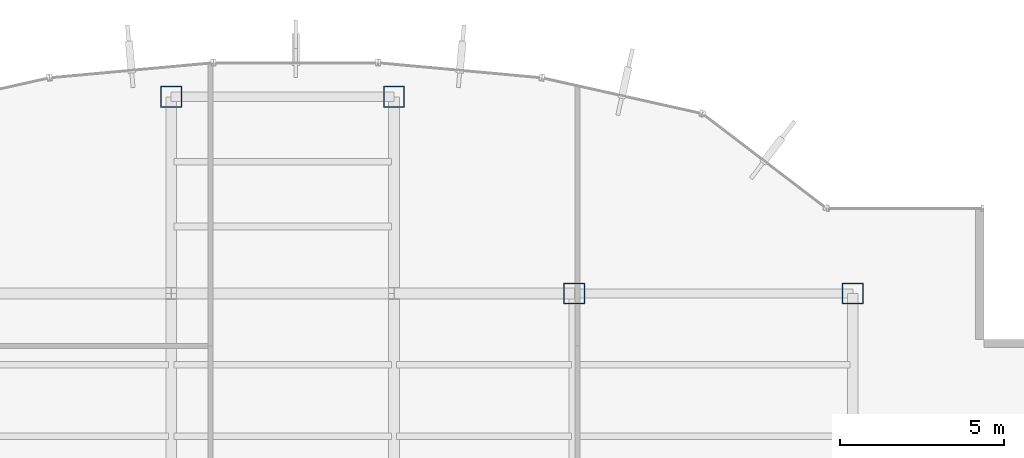
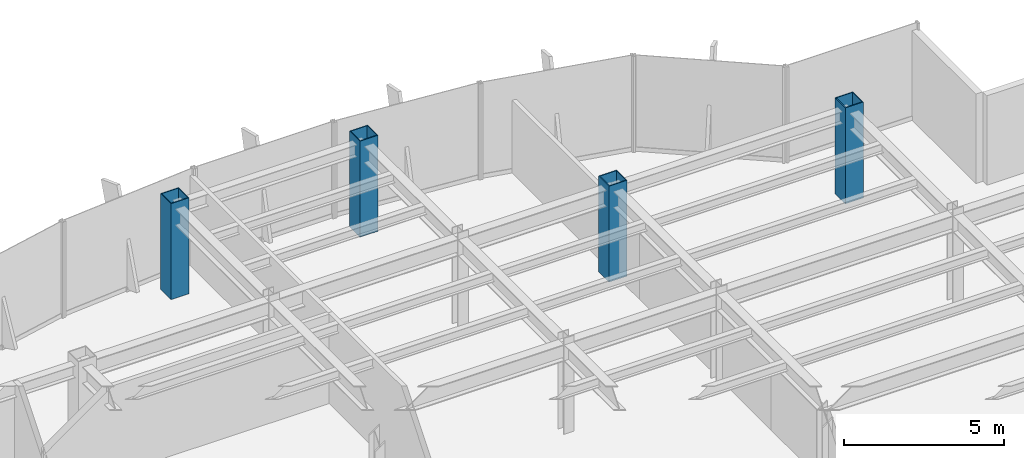
# One storey, part 2 of 23: 4 columns.
"""IFC4 building model written with IfcOpenShell, lengths in metres."""

import ifcopenshell
import ifcopenshell.guid

model = None  # the IFC model being written
_history = None  # IfcOwnerHistory: only IFC2X3 demands one
_inside = {}  # id of a spatial element -> (the spatial element, [elements in it])
_under = {}  # id of a project, library or spatial element -> (it, [spatial elements below it])
_declared = {}  # id of a project -> (the project, [libraries it declares])
_typed = {}  # id of a type object -> (the type object, [elements of that type])
_made_of = {}  # id of a material, layer set ... -> (it, [elements and type objects made of it])


def new_model(schema):
    """Start an empty IFC model of exactly this schema.

    Asked for "IFC4X3", IfcOpenShell would pick the latest addendum, in which some entities
    have other attributes; the version numbers below select the first issue.
    IFC2X3 requires an IfcOwnerHistory on every rooted entity: one is made here for all.
    """
    global model, _history
    if schema == "IFC4X3":
        model = ifcopenshell.file(schema_version=(4, 3, 0, 0))
    else:
        model = ifcopenshell.file(schema=schema)
    _inside.clear()
    _under.clear()
    _declared.clear()
    _typed.clear()
    _made_of.clear()
    _history = None
    if model.schema == "IFC2X3":
        org = make("IfcOrganization", Name="unknown")
        user = make(
            "IfcPersonAndOrganization",
            ThePerson=make("IfcPerson", FamilyName="unknown"),
            TheOrganization=org,
        )
        app = make(
            "IfcApplication",
            ApplicationDeveloper=org,
            Version="unknown",
            ApplicationFullName="unknown",
            ApplicationIdentifier="unknown",
        )
        _history = make(
            "IfcOwnerHistory",
            OwningUser=user,
            OwningApplication=app,
            ChangeAction="ADDED",
            CreationDate=0,
        )
    return model


def make(cls, **values):
    """One entity of the class cls with the attributes given. An attribute that is None is left unset."""
    return model.create_entity(
        cls, **{name: value for name, value in values.items() if value is not None}
    )


def rooted(cls, **values):
    """An entity with a GlobalId (a new one), such as an element, a storey or a relation."""
    return make(cls, GlobalId=ifcopenshell.guid.new(), OwnerHistory=_history, **values)


def si_unit(unit_type, name, prefix=None):
    """IfcSIUnit, for example si_unit("LENGTHUNIT", "METRE", prefix="MILLI")."""
    return make("IfcSIUnit", UnitType=unit_type, Prefix=prefix, Name=name)


def derived_unit(unit_type, elements):
    """IfcDerivedUnit: a product of units, each with its exponent."""
    return make(
        "IfcDerivedUnit",
        Elements=[
            make("IfcDerivedUnitElement", Unit=unit, Exponent=power)
            for unit, power in elements
        ],
        UnitType=unit_type,
    )


def assignment(units):
    """IfcUnitAssignment: the units of a project."""
    return None if units is None else make("IfcUnitAssignment", Units=units)


def point(xyz):
    """IfcCartesianPoint."""
    return None if xyz is None else make("IfcCartesianPoint", Coordinates=xyz)


def direction(xyz):
    """IfcDirection."""
    return None if xyz is None else make("IfcDirection", DirectionRatios=xyz)


def frame(location, z_axis=None, x_axis=None):
    """IfcAxis2Placement3D, a coordinate frame: its origin and axes. An axis left out is left unset."""
    return make(
        "IfcAxis2Placement3D",
        Location=point(location),
        Axis=direction(z_axis),
        RefDirection=direction(x_axis),
    )


def frame_2d(location, x_axis=None):
    """IfcAxis2Placement2D, a coordinate frame in the plane: its origin and x axis."""
    return make(
        "IfcAxis2Placement2D", Location=point(location), RefDirection=direction(x_axis)
    )


def origin():
    """The frame at (0, 0, 0) with its axes left unset."""
    return frame((0.0, 0.0, 0.0))


def origin_2d():
    """The frame at (0, 0) in the plane with its x axis left unset."""
    return frame_2d((0.0, 0.0))


def place(relative_to, where):
    """IfcLocalPlacement: puts the frame where relative to a parent placement (None: the world)."""
    return make(
        "IfcLocalPlacement", PlacementRelTo=relative_to, RelativePlacement=where
    )


def context(
    kind, dimensions, precision=None, world=None, true_north=None, identifier=None
):
    """IfcGeometricRepresentationContext, for example the 3D "Model" context."""
    return make(
        "IfcGeometricRepresentationContext",
        ContextIdentifier=identifier,
        ContextType=kind,
        CoordinateSpaceDimension=dimensions,
        Precision=precision,
        WorldCoordinateSystem=world,
        TrueNorth=true_north,
    )


def subcontext(parent, identifier, kind, view, scale=None):
    """IfcGeometricRepresentationSubContext, for example "Body" below "Model"."""
    return make(
        "IfcGeometricRepresentationSubContext",
        ContextIdentifier=identifier,
        ContextType=kind,
        ParentContext=parent,
        TargetScale=scale,
        TargetView=view,
    )


def project(units=None, contexts=None):
    """IfcProject with its units and contexts."""
    return rooted(
        "IfcProject",
        Name="project",
        RepresentationContexts=contexts,
        UnitsInContext=assignment(units),
    )


def spatial(cls, under=None, at=None, **own):
    """A site, building, storey or space (cls), placed at a placement, below another one or the project."""
    s = rooted(cls, ObjectPlacement=at, **own)
    if under is not None:
        _under.setdefault(under.id(), (under, []))[1].append(s)
    return s


def profile(cls, at=None, kind="AREA", **sizes):
    """A parametric profile (cls). Its sizes go by their IFC names, for example OverallWidth=200.0."""
    return make(cls, ProfileType=kind, Position=at, **sizes)


def hollow_rectangle(**sizes):
    """IfcRectangleHollowProfileDef."""
    return profile("IfcRectangleHollowProfileDef", **sizes)


def extrude(swept, where, along, depth):
    """IfcExtrudedAreaSolid: the profile swept, set in the frame where, extruded along a direction by depth."""
    return make(
        "IfcExtrudedAreaSolid",
        SweptArea=swept,
        Position=where,
        ExtrudedDirection=direction(along),
        Depth=depth,
    )


def shape(context_of_items, identifier, shape_type, items):
    """IfcShapeRepresentation: the items that make up one representation, for example the "Body"."""
    return make(
        "IfcShapeRepresentation",
        ContextOfItems=context_of_items,
        RepresentationIdentifier=identifier,
        RepresentationType=shape_type,
        Items=items,
    )


def source(mapping_origin, context_of_items, identifier, shape_type, items):
    """IfcRepresentationMap: a shape defined once, which mapped items show again and again."""
    return make(
        "IfcRepresentationMap",
        MappingOrigin=mapping_origin,
        MappedRepresentation=shape(context_of_items, identifier, shape_type, items),
    )


def transform(
    local_origin,
    x_axis=None,
    y_axis=None,
    z_axis=None,
    scale=None,
    scale2=None,
    scale3=None,
    uniform=True,
):
    """IfcCartesianTransformationOperator3D, or its non-uniform kind. x_axis, y_axis, z_axis: its Axis1, 2, 3."""
    if uniform:
        return make(
            "IfcCartesianTransformationOperator3D",
            Axis1=direction(x_axis),
            Axis2=direction(y_axis),
            LocalOrigin=point(local_origin),
            Scale=scale,
            Axis3=direction(z_axis),
        )
    return make(
        "IfcCartesianTransformationOperator3DnonUniform",
        Axis1=direction(x_axis),
        Axis2=direction(y_axis),
        LocalOrigin=point(local_origin),
        Scale=scale,
        Axis3=direction(z_axis),
        Scale2=scale2,
        Scale3=scale3,
    )


def mapped(mapping_source, mapping_target):
    """IfcMappedItem: shows the shape of a source again, moved by a transform."""
    return make(
        "IfcMappedItem", MappingSource=mapping_source, MappingTarget=mapping_target
    )


def material(Name=None, Category=None):
    """IfcMaterial."""
    return make("IfcMaterial", Name=Name, Category=Category)


def material_profile(
    of_material, cross_section, Name=None, Category=None, Priority=None
):
    """IfcMaterialProfile: a cross section and its material."""
    return make(
        "IfcMaterialProfile",
        Name=Name,
        Material=of_material,
        Profile=cross_section,
        Priority=Priority,
        Category=Category,
    )


def profile_set(profiles, Name=None, composite=None):
    """IfcMaterialProfileSet."""
    return make(
        "IfcMaterialProfileSet",
        Name=Name,
        MaterialProfiles=profiles,
        CompositeProfile=composite,
    )


def made_of(thing, what):
    """Note that an element or type object is made of a material, layer set ...; save() writes the relation."""
    if what is not None:
        _made_of.setdefault(what.id(), (what, []))[1].append(thing)
    return thing


def type_object(cls, material=None, **own):
    """A type object (cls), such as IfcWallType, which elements share."""
    return made_of(rooted(cls, **own), material)


def element(
    cls,
    number,
    at=None,
    inside=None,
    cuts=None,
    type_object=None,
    material=None,
    context=None,
    identifier="Body",
    shape_type=None,
    held_by="IfcProductDefinitionShape",
    body=None,
    shapes=None,
    **own,
):
    """One element of the class cls, such as IfcWall. Its Tag is "e" and its number.

    at: its placement. inside: the storey or other place that contains it. cuts: it is an
    opening in that element (IfcRelVoidsElement). A single representation is given by context,
    identifier, shape_type and body (its items); several are given by shapes. held_by: the class
    of the entity that holds the representations. save() writes the other relations.
    """
    e = rooted(cls, Tag="e%d" % number, ObjectPlacement=at, **own)
    if body is not None:
        shapes = [shape(context, identifier, shape_type, body)]
    if shapes is not None:
        e.Representation = make(held_by, Representations=shapes)
    if inside is not None:
        _inside.setdefault(inside.id(), (inside, []))[1].append(e)
    if cuts is not None:
        rooted(
            "IfcRelVoidsElement", RelatingBuildingElement=cuts, RelatedOpeningElement=e
        )
    if type_object is not None:
        _typed.setdefault(type_object.id(), (type_object, []))[1].append(e)
    return made_of(e, material)


def aggregate(whole, parts):
    """IfcRelAggregates: a whole, such as a stair, and the parts it consists of."""
    return rooted("IfcRelAggregates", RelatingObject=whole, RelatedObjects=parts)


def save(model, path):
    """Write the relations noted so far, then the file.

    IfcRelAggregates (storeys below a building ...), IfcRelContainedInSpatialStructure (elements
    in a storey), IfcRelDefinesByType, IfcRelAssociatesMaterial and IfcRelDeclares: one each for
    every whole, place, type object, material and project.
    """
    for whole, parts in _under.values():
        aggregate(whole, parts)
    for where, things in _inside.values():
        rooted(
            "IfcRelContainedInSpatialStructure",
            RelatedElements=things,
            RelatingStructure=where,
        )
    for kind, things in _typed.values():
        rooted("IfcRelDefinesByType", RelatedObjects=things, RelatingType=kind)
    for what, things in _made_of.values():
        rooted("IfcRelAssociatesMaterial", RelatedObjects=things, RelatingMaterial=what)
    for by, libraries in _declared.values():
        rooted("IfcRelDeclares", RelatingContext=by, RelatedDefinitions=libraries)
    model.write(path)


model = new_model("IFC4")

# Units and contexts
model_context = context("Model", 3, precision=1e-05, world=origin(), true_north=direction((0.0, 1.0)))
body_context = subcontext(model_context, "Body", "Model", "MODEL_VIEW")
ifc_project = project(units=[si_unit("LENGTHUNIT", "METRE"), si_unit("AREAUNIT", "SQUARE_METRE"), si_unit("VOLUMEUNIT", "CUBIC_METRE"), si_unit("PLANEANGLEUNIT", "RADIAN"), si_unit("MASSUNIT", "GRAM", prefix="KILO"), derived_unit("THERMALTRANSMITTANCEUNIT", [(si_unit("POWERUNIT", "WATT"), 1), (si_unit("LENGTHUNIT", "METRE"), -2), (si_unit("THERMODYNAMICTEMPERATUREUNIT", "KELVIN"), -1)])], contexts=[model_context])

# Site, building, storey
site_placement = place(None, origin())
site = spatial("IfcSite", under=ifc_project, at=site_placement, CompositionType="ELEMENT")
building_placement = place(site_placement, origin())
building = spatial("IfcBuilding", under=site, at=building_placement, Name="Skarnbrae Concourse Arena and Tower", CompositionType="ELEMENT")
storey_placement = place(building_placement, frame((0.0, 0.0, 140.60009765625)))
storey = spatial("IfcBuildingStorey", under=building, at=storey_placement, Name="L35", CompositionType="ELEMENT", Elevation=140.60009765625)

# Columns
ifc_material = material(Name="Steel CSA G40.21 350W", Category="steel")
ifc_material_profile = material_profile(ifc_material, hollow_rectangle(XDim=0.64990234375, YDim=0.64990234375, WallThickness=0.031982421875, at=origin_2d()), Name="BOX650X650X32")
ifc_profile_set = profile_set([ifc_material_profile], Name="Steel CSA G40.21 350W")
column_type = type_object("IfcColumnType", Name="COL-TUBE-BOX650", PredefinedType="COLUMN", material=ifc_profile_set)
shared_shape = source(origin(), body_context, "Body", "SweptSolid", [
    extrude(hollow_rectangle(XDim=0.64990234375, YDim=0.64990234375, WallThickness=0.031982421875, at=origin_2d()), origin(), (0.0, 0.0, 1.0), 3.64990234375),
])
for number, where, z_axis, x_axis, name in (
    (1, (21.199951171875, 40.39990234375, 0.0), (0.0, 0.0, 1.0), (1.0, 0.0, 0.0), "L35 Tower column PC_04_06"),
    (2, (28.0, 40.39990234375, 0.0), (0.0, 0.0, 1.0), (1.0, 0.0, 0.0), "L35 Tower column PC_05_06"),
    (3, (33.5, 34.39990234375, 0.0), (0.0, 0.0, 1.0), (1.0, 0.0, 0.0), "L35 Tower column PC_06_05"),
    (4, (42.0, 34.39990234375, 0.0), (0.0, 0.0, 1.0), (1.0, 0.0, 0.0), "L35 Tower column PC_07_05"),
):
    element("IfcColumn", number, at=place(storey_placement, frame(where, z_axis=z_axis, x_axis=x_axis)), inside=storey, type_object=column_type, Name=name, PredefinedType="COLUMN", context=body_context, shape_type="MappedRepresentation", body=[
        mapped(shared_shape, transform((0.0, 0.0, 0.0))),
    ])

save(model, "model.ifc")
